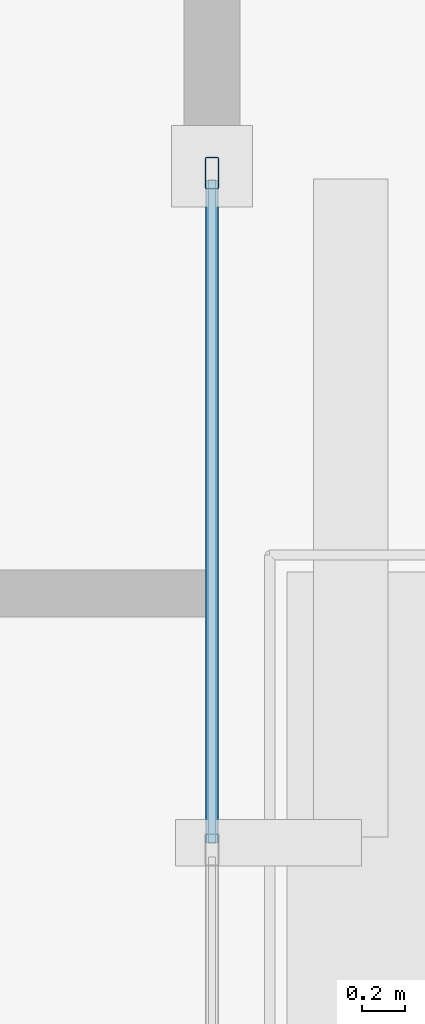
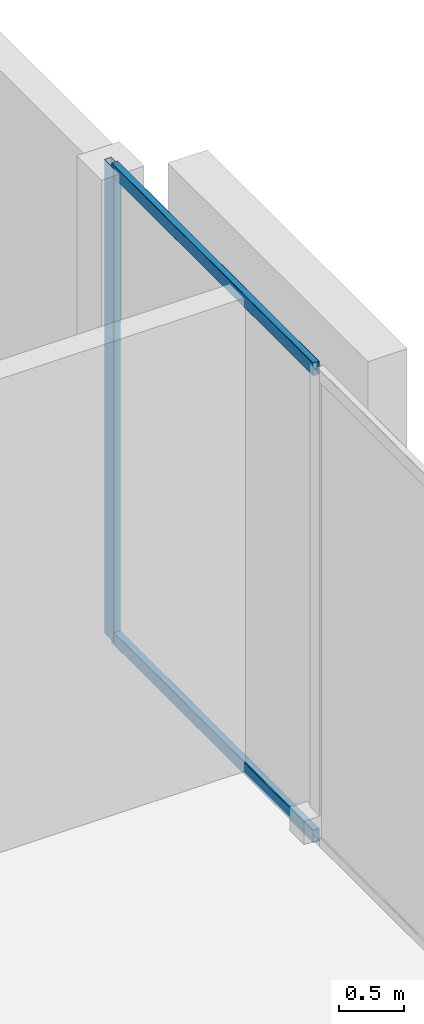
# One storey, part 7 of 15: 3 members, 1 element without a shape of its own.
"""IFC4 building model written with IfcOpenShell, lengths in metres."""

from ifc_helpers import new_model, si_unit, direction, frame, origin, origin_2d, place, context, subcontext, project, spatial, hollow_rectangle, extrude, material, layer, layer_set, material_profile, profile_set, type_object, element, aggregate, save


model = new_model("IFC4")

# Units and contexts
model_context = context("Model", 3, precision=1e-05, world=origin(), true_north=direction((0.0, 1.0)))
body_context = subcontext(model_context, "Body", "Model", "MODEL_VIEW")
ifc_project = project(units=[si_unit("LENGTHUNIT", "METRE"), si_unit("AREAUNIT", "SQUARE_METRE"), si_unit("VOLUMEUNIT", "CUBIC_METRE"), si_unit("PLANEANGLEUNIT", "RADIAN"), si_unit("MASSUNIT", "GRAM", prefix="KILO")], contexts=[model_context])

# Site, building, storey
site_placement = place(None, origin())
site = spatial("IfcSite", under=ifc_project, at=site_placement, CompositionType="ELEMENT")
building_placement = place(site_placement, origin())
building = spatial("IfcBuilding", under=site, at=building_placement, Name="An Khanh Terracotta Commons", CompositionType="ELEMENT")
storey_placement = place(building_placement, frame((0.0, 0.0, 14.699951171875)))
storey = spatial("IfcBuildingStorey", under=building, at=storey_placement, Name="L04", CompositionType="ELEMENT", Elevation=14.699951171875)

# Curtain wall, members
ifc_material = material(Name="Anodised Aluminium 6063-T6", Category="aluminium")
ifc_layer = layer(ifc_material, 0.179931640625, Name="Anodised Aluminium 6063-T6")
ifc_layer_set = layer_set([ifc_layer], Name="Anodised Aluminium 6063-T6")
curtain_wall_type = type_object("IfcCurtainWallType", Name="CW-SYS-01", PredefinedType="USERDEFINED", material=ifc_layer_set)
curtain_wall_placement = place(storey_placement, origin())
curtain_wall = element("IfcCurtainWall", 1, at=curtain_wall_placement, inside=storey, type_object=curtain_wall_type, Name="L04 CW-01 Unitised Curtain Wall CW-L04-EAST", ObjectType="UNITISED CURTAIN WALL", PredefinedType="USERDEFINED")
ifc_material_profile_1 = material_profile(ifc_material, hollow_rectangle(XDim=0.06494140625, YDim=0.14990234375, WallThickness=0.00390625, InnerFilletRadius=0.00390625, OuterFilletRadius=0.008056640625, at=origin_2d()), Name="RHS150x65x4")
ifc_profile_set_1 = profile_set([ifc_material_profile_1], Name="Anodised Aluminium 6063-T6")
member_type_1 = type_object("IfcMemberType", Name="CWM-RHS150x65x4", PredefinedType="MULLION", material=ifc_profile_set_1)
member_1_placement = place(storey_placement, frame((67.800048828125, 31.967529296875, 0.0), z_axis=(0.0, 0.0, 1.0), x_axis=(-1.0, 0.0, 0.0)))
member_1 = element("IfcMember", 2, at=member_1_placement, type_object=member_type_1, Name="CW-01 mullion 6", PredefinedType="MULLION", context=body_context, shape_type="SweptSolid", body=[
    extrude(hollow_rectangle(XDim=0.06494140625, YDim=0.14990234375, WallThickness=0.00390625, InnerFilletRadius=0.00390625, OuterFilletRadius=0.008056640625, at=origin_2d()), origin(), (0.0, 0.0, 1.0), 4.449951171875),
])
ifc_material_profile_2 = material_profile(ifc_material, hollow_rectangle(XDim=0.06005859375, YDim=0.1201171875, WallThickness=0.003662109375, InnerFilletRadius=0.003662109375, OuterFilletRadius=0.007080078125, at=origin_2d()), Name="RHS120x60x3.6")
ifc_profile_set_2 = profile_set([ifc_material_profile_2], Name="Anodised Aluminium 6063-T6")
member_type_2 = type_object("IfcMemberType", Name="CWT-RHS120x60x3.6", PredefinedType="USERDEFINED", material=ifc_profile_set_2)
member_2_placement = place(storey_placement, frame((67.800048828125, 28.83251953125, 0.030029296875), z_axis=(0.0, 1.0, 0.0), x_axis=(-1.0, 0.0, 0.0)))
member_2 = element("IfcMember", 3, at=member_2_placement, type_object=member_type_2, Name="CW-01 transom 5.1", ObjectType="TRANSOM", PredefinedType="USERDEFINED", context=body_context, shape_type="SweptSolid", body=[
    extrude(hollow_rectangle(XDim=0.06005859375, YDim=0.1201171875, WallThickness=0.003662109375, InnerFilletRadius=0.003662109375, OuterFilletRadius=0.007080078125, at=origin_2d()), origin(), (0.0, 0.0, 1.0), 3.1025390625),
])
member_3_placement = place(storey_placement, frame((67.800048828125, 28.83251953125, 4.420166015625), z_axis=(0.0, 1.0, 0.0), x_axis=(-1.0, 0.0, 0.0)))
member_3 = element("IfcMember", 4, at=member_3_placement, type_object=member_type_2, Name="CW-01 transom 5.2", ObjectType="TRANSOM", PredefinedType="USERDEFINED", context=body_context, shape_type="SweptSolid", body=[
    extrude(hollow_rectangle(XDim=0.06005859375, YDim=0.1201171875, WallThickness=0.003662109375, InnerFilletRadius=0.003662109375, OuterFilletRadius=0.007080078125, at=origin_2d()), origin(), (0.0, 0.0, 1.0), 3.1025390625),
])
aggregate(curtain_wall, [member_1, member_2, member_3])

save(model, "model.ifc")
